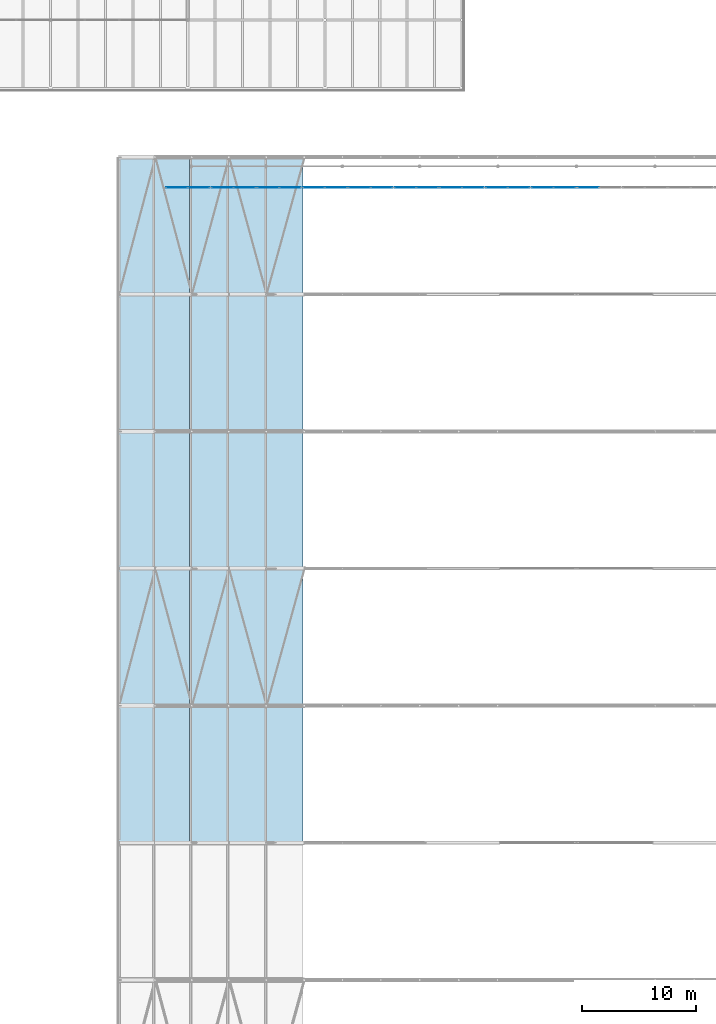
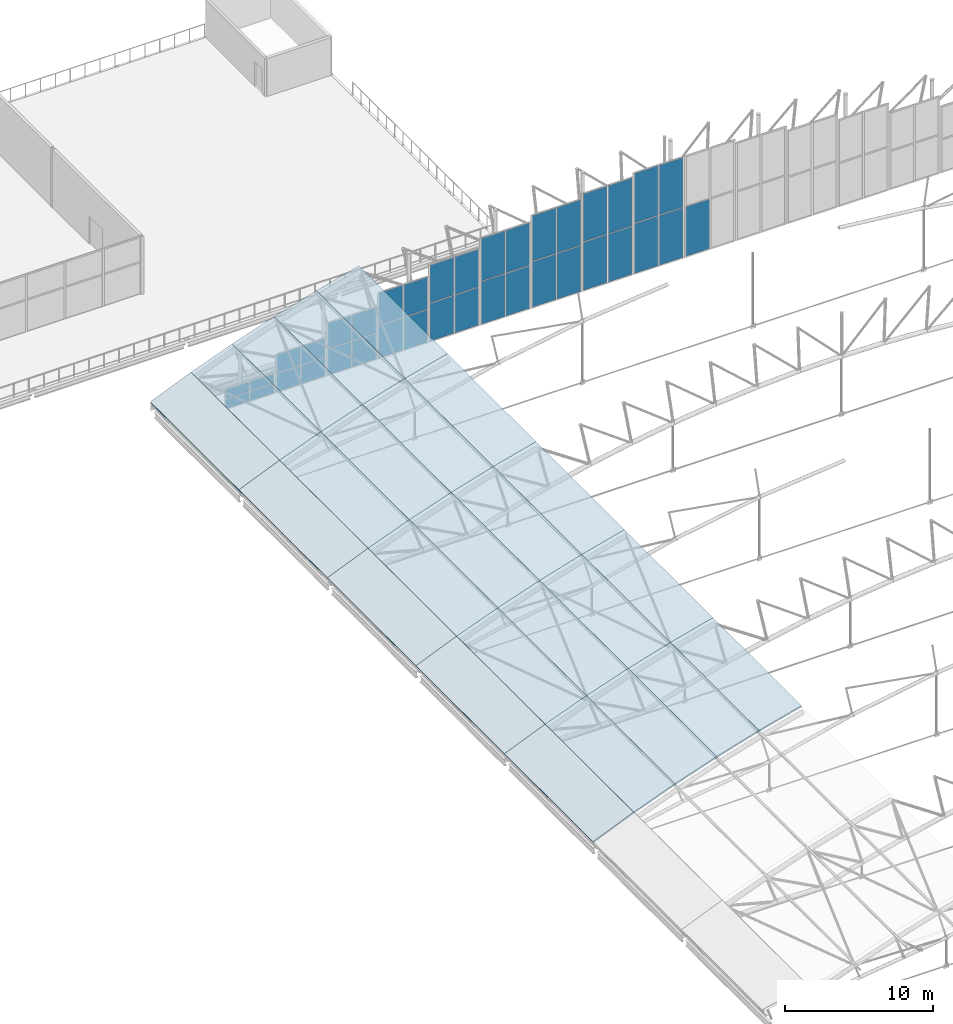
# One storey, part 251 of 321: 37 plates, 25 slabs, 10 elements without a shape of their own.
"""IFC4 building model written with IfcOpenShell, lengths in metres."""

import ifcopenshell
import ifcopenshell.guid

model = None  # the IFC model being written
_history = None  # IfcOwnerHistory: only IFC2X3 demands one
_inside = {}  # id of a spatial element -> (the spatial element, [elements in it])
_under = {}  # id of a project, library or spatial element -> (it, [spatial elements below it])
_declared = {}  # id of a project -> (the project, [libraries it declares])
_typed = {}  # id of a type object -> (the type object, [elements of that type])
_made_of = {}  # id of a material, layer set ... -> (it, [elements and type objects made of it])


def new_model(schema):
    """Start an empty IFC model of exactly this schema.

    Asked for "IFC4X3", IfcOpenShell would pick the latest addendum, in which some entities
    have other attributes; the version numbers below select the first issue.
    IFC2X3 requires an IfcOwnerHistory on every rooted entity: one is made here for all.
    """
    global model, _history
    if schema == "IFC4X3":
        model = ifcopenshell.file(schema_version=(4, 3, 0, 0))
    else:
        model = ifcopenshell.file(schema=schema)
    _inside.clear()
    _under.clear()
    _declared.clear()
    _typed.clear()
    _made_of.clear()
    _history = None
    if model.schema == "IFC2X3":
        org = make("IfcOrganization", Name="unknown")
        user = make(
            "IfcPersonAndOrganization",
            ThePerson=make("IfcPerson", FamilyName="unknown"),
            TheOrganization=org,
        )
        app = make(
            "IfcApplication",
            ApplicationDeveloper=org,
            Version="unknown",
            ApplicationFullName="unknown",
            ApplicationIdentifier="unknown",
        )
        _history = make(
            "IfcOwnerHistory",
            OwningUser=user,
            OwningApplication=app,
            ChangeAction="ADDED",
            CreationDate=0,
        )
    return model


def make(cls, **values):
    """One entity of the class cls with the attributes given. An attribute that is None is left unset."""
    return model.create_entity(
        cls, **{name: value for name, value in values.items() if value is not None}
    )


def rooted(cls, **values):
    """An entity with a GlobalId (a new one), such as an element, a storey or a relation."""
    return make(cls, GlobalId=ifcopenshell.guid.new(), OwnerHistory=_history, **values)


def si_unit(unit_type, name, prefix=None):
    """IfcSIUnit, for example si_unit("LENGTHUNIT", "METRE", prefix="MILLI")."""
    return make("IfcSIUnit", UnitType=unit_type, Prefix=prefix, Name=name)


def assignment(units):
    """IfcUnitAssignment: the units of a project."""
    return None if units is None else make("IfcUnitAssignment", Units=units)


def point(xyz):
    """IfcCartesianPoint."""
    return None if xyz is None else make("IfcCartesianPoint", Coordinates=xyz)


def direction(xyz):
    """IfcDirection."""
    return None if xyz is None else make("IfcDirection", DirectionRatios=xyz)


def frame(location, z_axis=None, x_axis=None):
    """IfcAxis2Placement3D, a coordinate frame: its origin and axes. An axis left out is left unset."""
    return make(
        "IfcAxis2Placement3D",
        Location=point(location),
        Axis=direction(z_axis),
        RefDirection=direction(x_axis),
    )


def frame_2d(location, x_axis=None):
    """IfcAxis2Placement2D, a coordinate frame in the plane: its origin and x axis."""
    return make(
        "IfcAxis2Placement2D", Location=point(location), RefDirection=direction(x_axis)
    )


def origin():
    """The frame at (0, 0, 0) with its axes left unset."""
    return frame((0.0, 0.0, 0.0))


def origin_2d():
    """The frame at (0, 0) in the plane with its x axis left unset."""
    return frame_2d((0.0, 0.0))


def place(relative_to, where):
    """IfcLocalPlacement: puts the frame where relative to a parent placement (None: the world)."""
    return make(
        "IfcLocalPlacement", PlacementRelTo=relative_to, RelativePlacement=where
    )


def context(
    kind, dimensions, precision=None, world=None, true_north=None, identifier=None
):
    """IfcGeometricRepresentationContext, for example the 3D "Model" context."""
    return make(
        "IfcGeometricRepresentationContext",
        ContextIdentifier=identifier,
        ContextType=kind,
        CoordinateSpaceDimension=dimensions,
        Precision=precision,
        WorldCoordinateSystem=world,
        TrueNorth=true_north,
    )


def subcontext(parent, identifier, kind, view, scale=None):
    """IfcGeometricRepresentationSubContext, for example "Body" below "Model"."""
    return make(
        "IfcGeometricRepresentationSubContext",
        ContextIdentifier=identifier,
        ContextType=kind,
        ParentContext=parent,
        TargetScale=scale,
        TargetView=view,
    )


def project(units=None, contexts=None):
    """IfcProject with its units and contexts."""
    return rooted(
        "IfcProject",
        Name="project",
        RepresentationContexts=contexts,
        UnitsInContext=assignment(units),
    )


def spatial(cls, under=None, at=None, **own):
    """A site, building, storey or space (cls), placed at a placement, below another one or the project."""
    s = rooted(cls, ObjectPlacement=at, **own)
    if under is not None:
        _under.setdefault(under.id(), (under, []))[1].append(s)
    return s


def polyline(points):
    """IfcPolyline through the points."""
    return make("IfcPolyline", Points=[point(p) for p in points])


def profile(cls, at=None, kind="AREA", **sizes):
    """A parametric profile (cls). Its sizes go by their IFC names, for example OverallWidth=200.0."""
    return make(cls, ProfileType=kind, Position=at, **sizes)


def rectangle(**sizes):
    """IfcRectangleProfileDef."""
    return profile("IfcRectangleProfileDef", **sizes)


def outline(outer, holes=None, kind="AREA"):
    """IfcArbitraryClosedProfileDef: a profile drawn as a closed curve; with holes, ...WithVoids."""
    if holes is None:
        return make("IfcArbitraryClosedProfileDef", ProfileType=kind, OuterCurve=outer)
    return make(
        "IfcArbitraryProfileDefWithVoids",
        ProfileType=kind,
        OuterCurve=outer,
        InnerCurves=holes,
    )


def extrude(swept, where, along, depth):
    """IfcExtrudedAreaSolid: the profile swept, set in the frame where, extruded along a direction by depth."""
    return make(
        "IfcExtrudedAreaSolid",
        SweptArea=swept,
        Position=where,
        ExtrudedDirection=direction(along),
        Depth=depth,
    )


def shape(context_of_items, identifier, shape_type, items):
    """IfcShapeRepresentation: the items that make up one representation, for example the "Body"."""
    return make(
        "IfcShapeRepresentation",
        ContextOfItems=context_of_items,
        RepresentationIdentifier=identifier,
        RepresentationType=shape_type,
        Items=items,
    )


def material(Name=None, Category=None):
    """IfcMaterial."""
    return make("IfcMaterial", Name=Name, Category=Category)


def layer(
    of_material, thickness, ventilated=None, Name=None, Category=None, Priority=None
):
    """IfcMaterialLayer: one layer of a wall or slab, of a material (None: an air gap)."""
    return make(
        "IfcMaterialLayer",
        Material=of_material,
        LayerThickness=thickness,
        IsVentilated=ventilated,
        Name=Name,
        Category=Category,
        Priority=Priority,
    )


def layer_set(layers, Name=None):
    """IfcMaterialLayerSet."""
    return make("IfcMaterialLayerSet", MaterialLayers=layers, LayerSetName=Name)


def made_of(thing, what):
    """Note that an element or type object is made of a material, layer set ...; save() writes the relation."""
    if what is not None:
        _made_of.setdefault(what.id(), (what, []))[1].append(thing)
    return thing


def type_object(cls, material=None, **own):
    """A type object (cls), such as IfcWallType, which elements share."""
    return made_of(rooted(cls, **own), material)


def element(
    cls,
    number,
    at=None,
    inside=None,
    cuts=None,
    type_object=None,
    material=None,
    context=None,
    identifier="Body",
    shape_type=None,
    held_by="IfcProductDefinitionShape",
    body=None,
    shapes=None,
    **own,
):
    """One element of the class cls, such as IfcWall. Its Tag is "e" and its number.

    at: its placement. inside: the storey or other place that contains it. cuts: it is an
    opening in that element (IfcRelVoidsElement). A single representation is given by context,
    identifier, shape_type and body (its items); several are given by shapes. held_by: the class
    of the entity that holds the representations. save() writes the other relations.
    """
    e = rooted(cls, Tag="e%d" % number, ObjectPlacement=at, **own)
    if body is not None:
        shapes = [shape(context, identifier, shape_type, body)]
    if shapes is not None:
        e.Representation = make(held_by, Representations=shapes)
    if inside is not None:
        _inside.setdefault(inside.id(), (inside, []))[1].append(e)
    if cuts is not None:
        rooted(
            "IfcRelVoidsElement", RelatingBuildingElement=cuts, RelatedOpeningElement=e
        )
    if type_object is not None:
        _typed.setdefault(type_object.id(), (type_object, []))[1].append(e)
    return made_of(e, material)


def aggregate(whole, parts):
    """IfcRelAggregates: a whole, such as a stair, and the parts it consists of."""
    return rooted("IfcRelAggregates", RelatingObject=whole, RelatedObjects=parts)


def save(model, path):
    """Write the relations noted so far, then the file.

    IfcRelAggregates (storeys below a building ...), IfcRelContainedInSpatialStructure (elements
    in a storey), IfcRelDefinesByType, IfcRelAssociatesMaterial and IfcRelDeclares: one each for
    every whole, place, type object, material and project.
    """
    for whole, parts in _under.values():
        aggregate(whole, parts)
    for where, things in _inside.values():
        rooted(
            "IfcRelContainedInSpatialStructure",
            RelatedElements=things,
            RelatingStructure=where,
        )
    for kind, things in _typed.values():
        rooted("IfcRelDefinesByType", RelatedObjects=things, RelatingType=kind)
    for what, things in _made_of.values():
        rooted("IfcRelAssociatesMaterial", RelatedObjects=things, RelatingMaterial=what)
    for by, libraries in _declared.values():
        rooted("IfcRelDeclares", RelatingContext=by, RelatedDefinitions=libraries)
    model.write(path)


model = new_model("IFC4")

# Units and contexts
model_context = context("Model", 3, precision=1e-05, world=origin(), true_north=direction((0.0, 1.0)))
body_context = subcontext(model_context, "Body", "Model", "MODEL_VIEW")
ifc_project = project(units=[si_unit("LENGTHUNIT", "METRE"), si_unit("AREAUNIT", "SQUARE_METRE"), si_unit("VOLUMEUNIT", "CUBIC_METRE"), si_unit("PLANEANGLEUNIT", "RADIAN"), si_unit("MASSUNIT", "GRAM", prefix="KILO")], contexts=[model_context])

# Site, building, storey
site_placement = place(None, origin())
site = spatial("IfcSite", under=ifc_project, at=site_placement, CompositionType="ELEMENT")
building_placement = place(site_placement, origin())
building = spatial("IfcBuilding", under=site, at=building_placement, Name="Ravi Spectrum Wholesale Market", CompositionType="ELEMENT")
storey_placement = place(building_placement, frame((0.0, 0.0, 10.800048828125)))
storey = spatial("IfcBuildingStorey", under=building, at=storey_placement, Name="L02", CompositionType="ELEMENT", Elevation=10.800048828125)

# Curtain wall, plates
ifc_material_1 = material(Name="Aluminium 6063-T6", Category="aluminium")
ifc_layer_1 = layer(ifc_material_1, 0.14990234375)
ifc_layer_set_1 = layer_set([ifc_layer_1], Name="Aluminium 6063-T6")
curtain_wall_type = type_object("IfcCurtainWallType", Name="Curtain wall 150", PredefinedType="NOTDEFINED", material=ifc_layer_set_1)
curtain_wall_1_placement = place(storey_placement, origin())
curtain_wall_1 = element("IfcCurtainWall", 1, at=curtain_wall_1_placement, inside=storey, type_object=curtain_wall_type, Name="H1-CW-L02-001", PredefinedType="NOTDEFINED")
ifc_material_2 = material(Name="Toughened glass", Category="glass")
ifc_layer_2 = layer(ifc_material_2, 0.028076171875)
ifc_layer_set_2 = layer_set([ifc_layer_2], Name="Toughened glass")
plate_type_1 = type_object("IfcPlateType", Name="Glazing panel 28", PredefinedType="CURTAIN_PANEL", material=ifc_layer_set_2)
plate_1_placement = place(storey_placement, frame((35.034912109375, 195.340087890625, 0.06005859375), z_axis=(0.0, 0.0, 1.0), x_axis=(1.0, 0.0, 0.0)))
plate_1 = element("IfcPlate", 2, at=plate_1_placement, type_object=plate_type_1, Name="H1-CW-L02-001 panel 1.1", PredefinedType="CURTAIN_PANEL", context=body_context, shape_type="SweptSolid", body=[
    extrude(rectangle(XDim=1.8701171875, YDim=0.028076171875, at=origin_2d()), origin(), (0.0, 0.0, 1.0), 0.760009765625),
])
plate_2_placement = place(storey_placement, frame((35.034912109375, 195.340087890625, 0.8798828125), z_axis=(0.0, 0.0, 1.0), x_axis=(1.0, 0.0, 0.0)))
plate_2 = element("IfcPlate", 3, at=plate_2_placement, type_object=plate_type_1, Name="H1-CW-L02-001 panel 1.2", PredefinedType="CURTAIN_PANEL", context=body_context, shape_type="SweptSolid", body=[
    extrude(rectangle(XDim=1.8701171875, YDim=0.028076171875, at=origin_2d()), origin(), (0.0, 0.0, 1.0), 0.760009765625),
])
plate_3_placement = place(storey_placement, frame((36.965087890625, 195.340087890625, 0.06005859375), z_axis=(0.0, 0.0, 1.0), x_axis=(1.0, 0.0, 0.0)))
plate_3 = element("IfcPlate", 4, at=plate_3_placement, type_object=plate_type_1, Name="H1-CW-L02-001 panel 2.1", PredefinedType="CURTAIN_PANEL", context=body_context, shape_type="SweptSolid", body=[
    extrude(rectangle(XDim=1.8701171875, YDim=0.028076171875, at=origin_2d()), origin(), (0.0, 0.0, 1.0), 0.760009765625),
])
plate_4_placement = place(storey_placement, frame((36.965087890625, 195.340087890625, 0.8798828125), z_axis=(0.0, 0.0, 1.0), x_axis=(1.0, 0.0, 0.0)))
plate_4 = element("IfcPlate", 5, at=plate_4_placement, type_object=plate_type_1, Name="H1-CW-L02-001 panel 2.2", PredefinedType="CURTAIN_PANEL", context=body_context, shape_type="SweptSolid", body=[
    extrude(rectangle(XDim=1.8701171875, YDim=0.028076171875, at=origin_2d()), origin(), (0.0, 0.0, 1.0), 0.760009765625),
])
aggregate(curtain_wall_1, [plate_1, plate_2, plate_3, plate_4])

curtain_wall_2_placement = place(storey_placement, origin())
curtain_wall_2 = element("IfcCurtainWall", 6, at=curtain_wall_2_placement, inside=storey, type_object=curtain_wall_type, Name="H1-CW-L02-002", PredefinedType="NOTDEFINED")
plate_5_placement = place(storey_placement, frame((39.034912109375, 195.340087890625, 0.06005859375), z_axis=(0.0, 0.0, 1.0), x_axis=(1.0, 0.0, 0.0)))
plate_5 = element("IfcPlate", 7, at=plate_5_placement, type_object=plate_type_1, Name="H1-CW-L02-002 panel 1.1", PredefinedType="CURTAIN_PANEL", context=body_context, shape_type="SweptSolid", body=[
    extrude(rectangle(XDim=1.8701171875, YDim=0.028076171875, at=origin_2d()), origin(), (0.0, 0.0, 1.0), 1.510009765625),
])
plate_6_placement = place(storey_placement, frame((39.034912109375, 195.340087890625, 1.6298828125), z_axis=(0.0, 0.0, 1.0), x_axis=(1.0, 0.0, 0.0)))
plate_6 = element("IfcPlate", 8, at=plate_6_placement, type_object=plate_type_1, Name="H1-CW-L02-002 panel 1.2", PredefinedType="CURTAIN_PANEL", context=body_context, shape_type="SweptSolid", body=[
    extrude(rectangle(XDim=1.8701171875, YDim=0.028076171875, at=origin_2d()), origin(), (0.0, 0.0, 1.0), 1.510009765625),
])
plate_7_placement = place(storey_placement, frame((40.965087890625, 195.340087890625, 0.06005859375), z_axis=(0.0, 0.0, 1.0), x_axis=(1.0, 0.0, 0.0)))
plate_7 = element("IfcPlate", 9, at=plate_7_placement, type_object=plate_type_1, Name="H1-CW-L02-002 panel 2.1", PredefinedType="CURTAIN_PANEL", context=body_context, shape_type="SweptSolid", body=[
    extrude(rectangle(XDim=1.8701171875, YDim=0.028076171875, at=origin_2d()), origin(), (0.0, 0.0, 1.0), 1.510009765625),
])
plate_8_placement = place(storey_placement, frame((40.965087890625, 195.340087890625, 1.6298828125), z_axis=(0.0, 0.0, 1.0), x_axis=(1.0, 0.0, 0.0)))
plate_8 = element("IfcPlate", 10, at=plate_8_placement, type_object=plate_type_1, Name="H1-CW-L02-002 panel 2.2", PredefinedType="CURTAIN_PANEL", context=body_context, shape_type="SweptSolid", body=[
    extrude(rectangle(XDim=1.8701171875, YDim=0.028076171875, at=origin_2d()), origin(), (0.0, 0.0, 1.0), 1.510009765625),
])
aggregate(curtain_wall_2, [plate_5, plate_6, plate_7, plate_8])

curtain_wall_3_placement = place(storey_placement, origin())
curtain_wall_3 = element("IfcCurtainWall", 11, at=curtain_wall_3_placement, inside=storey, type_object=curtain_wall_type, Name="H1-CW-L02-003", PredefinedType="NOTDEFINED")
plate_9_placement = place(storey_placement, frame((43.034912109375, 195.340087890625, 0.06005859375), z_axis=(0.0, 0.0, 1.0), x_axis=(1.0, 0.0, 0.0)))
plate_9 = element("IfcPlate", 12, at=plate_9_placement, type_object=plate_type_1, Name="H1-CW-L02-003 panel 1.1", PredefinedType="CURTAIN_PANEL", context=body_context, shape_type="SweptSolid", body=[
    extrude(rectangle(XDim=1.8701171875, YDim=0.028076171875, at=origin_2d()), origin(), (0.0, 0.0, 1.0), 2.110107421875),
])
plate_10_placement = place(storey_placement, frame((43.034912109375, 195.340087890625, 2.22998046875), z_axis=(0.0, 0.0, 1.0), x_axis=(1.0, 0.0, 0.0)))
plate_10 = element("IfcPlate", 13, at=plate_10_placement, type_object=plate_type_1, Name="H1-CW-L02-003 panel 1.2", PredefinedType="CURTAIN_PANEL", context=body_context, shape_type="SweptSolid", body=[
    extrude(rectangle(XDim=1.8701171875, YDim=0.028076171875, at=origin_2d()), origin(), (0.0, 0.0, 1.0), 2.110107421875),
])
plate_11_placement = place(storey_placement, frame((44.965087890625, 195.340087890625, 0.06005859375), z_axis=(0.0, 0.0, 1.0), x_axis=(1.0, 0.0, 0.0)))
plate_11 = element("IfcPlate", 14, at=plate_11_placement, type_object=plate_type_1, Name="H1-CW-L02-003 panel 2.1", PredefinedType="CURTAIN_PANEL", context=body_context, shape_type="SweptSolid", body=[
    extrude(rectangle(XDim=1.8701171875, YDim=0.028076171875, at=origin_2d()), origin(), (0.0, 0.0, 1.0), 2.110107421875),
])
plate_12_placement = place(storey_placement, frame((44.965087890625, 195.340087890625, 2.22998046875), z_axis=(0.0, 0.0, 1.0), x_axis=(1.0, 0.0, 0.0)))
plate_12 = element("IfcPlate", 15, at=plate_12_placement, type_object=plate_type_1, Name="H1-CW-L02-003 panel 2.2", PredefinedType="CURTAIN_PANEL", context=body_context, shape_type="SweptSolid", body=[
    extrude(rectangle(XDim=1.8701171875, YDim=0.028076171875, at=origin_2d()), origin(), (0.0, 0.0, 1.0), 2.110107421875),
])
aggregate(curtain_wall_3, [plate_9, plate_10, plate_11, plate_12])

curtain_wall_4_placement = place(storey_placement, origin())
curtain_wall_4 = element("IfcCurtainWall", 16, at=curtain_wall_4_placement, inside=storey, type_object=curtain_wall_type, Name="H1-CW-L02-004", PredefinedType="NOTDEFINED")
plate_13_placement = place(storey_placement, frame((47.034912109375, 195.340087890625, 0.06005859375), z_axis=(0.0, 0.0, 1.0), x_axis=(1.0, 0.0, 0.0)))
plate_13 = element("IfcPlate", 17, at=plate_13_placement, type_object=plate_type_1, Name="H1-CW-L02-004 panel 1.1", PredefinedType="CURTAIN_PANEL", context=body_context, shape_type="SweptSolid", body=[
    extrude(rectangle(XDim=1.8701171875, YDim=0.028076171875, at=origin_2d()), origin(), (0.0, 0.0, 1.0), 2.659912109375),
])
plate_14_placement = place(storey_placement, frame((47.034912109375, 195.340087890625, 2.77978515625), z_axis=(0.0, 0.0, 1.0), x_axis=(1.0, 0.0, 0.0)))
plate_14 = element("IfcPlate", 18, at=plate_14_placement, type_object=plate_type_1, Name="H1-CW-L02-004 panel 1.2", PredefinedType="CURTAIN_PANEL", context=body_context, shape_type="SweptSolid", body=[
    extrude(rectangle(XDim=1.8701171875, YDim=0.028076171875, at=origin_2d()), origin(), (0.0, 0.0, 1.0), 2.659912109375),
])
plate_15_placement = place(storey_placement, frame((48.965087890625, 195.340087890625, 0.06005859375), z_axis=(0.0, 0.0, 1.0), x_axis=(1.0, 0.0, 0.0)))
plate_15 = element("IfcPlate", 19, at=plate_15_placement, type_object=plate_type_1, Name="H1-CW-L02-004 panel 2.1", PredefinedType="CURTAIN_PANEL", context=body_context, shape_type="SweptSolid", body=[
    extrude(rectangle(XDim=1.8701171875, YDim=0.028076171875, at=origin_2d()), origin(), (0.0, 0.0, 1.0), 2.659912109375),
])
plate_16_placement = place(storey_placement, frame((48.965087890625, 195.340087890625, 2.77978515625), z_axis=(0.0, 0.0, 1.0), x_axis=(1.0, 0.0, 0.0)))
plate_16 = element("IfcPlate", 20, at=plate_16_placement, type_object=plate_type_1, Name="H1-CW-L02-004 panel 2.2", PredefinedType="CURTAIN_PANEL", context=body_context, shape_type="SweptSolid", body=[
    extrude(rectangle(XDim=1.8701171875, YDim=0.028076171875, at=origin_2d()), origin(), (0.0, 0.0, 1.0), 2.659912109375),
])
aggregate(curtain_wall_4, [plate_13, plate_14, plate_15, plate_16])

curtain_wall_5_placement = place(storey_placement, origin())
curtain_wall_5 = element("IfcCurtainWall", 21, at=curtain_wall_5_placement, inside=storey, type_object=curtain_wall_type, Name="H1-CW-L02-005", PredefinedType="NOTDEFINED")
plate_17_placement = place(storey_placement, frame((51.034912109375, 195.340087890625, 0.06005859375), z_axis=(0.0, 0.0, 1.0), x_axis=(1.0, 0.0, 0.0)))
plate_17 = element("IfcPlate", 22, at=plate_17_placement, type_object=plate_type_1, Name="H1-CW-L02-005 panel 1.1", PredefinedType="CURTAIN_PANEL", context=body_context, shape_type="SweptSolid", body=[
    extrude(rectangle(XDim=1.8701171875, YDim=0.028076171875, at=origin_2d()), origin(), (0.0, 0.0, 1.0), 3.110107421875),
])
plate_18_placement = place(storey_placement, frame((51.034912109375, 195.340087890625, 3.22998046875), z_axis=(0.0, 0.0, 1.0), x_axis=(1.0, 0.0, 0.0)))
plate_18 = element("IfcPlate", 23, at=plate_18_placement, type_object=plate_type_1, Name="H1-CW-L02-005 panel 1.2", PredefinedType="CURTAIN_PANEL", context=body_context, shape_type="SweptSolid", body=[
    extrude(rectangle(XDim=1.8701171875, YDim=0.028076171875, at=origin_2d()), origin(), (0.0, 0.0, 1.0), 3.110107421875),
])
plate_19_placement = place(storey_placement, frame((52.965087890625, 195.340087890625, 0.06005859375), z_axis=(0.0, 0.0, 1.0), x_axis=(1.0, 0.0, 0.0)))
plate_19 = element("IfcPlate", 24, at=plate_19_placement, type_object=plate_type_1, Name="H1-CW-L02-005 panel 2.1", PredefinedType="CURTAIN_PANEL", context=body_context, shape_type="SweptSolid", body=[
    extrude(rectangle(XDim=1.8701171875, YDim=0.028076171875, at=origin_2d()), origin(), (0.0, 0.0, 1.0), 3.110107421875),
])
plate_20_placement = place(storey_placement, frame((52.965087890625, 195.340087890625, 3.22998046875), z_axis=(0.0, 0.0, 1.0), x_axis=(1.0, 0.0, 0.0)))
plate_20 = element("IfcPlate", 25, at=plate_20_placement, type_object=plate_type_1, Name="H1-CW-L02-005 panel 2.2", PredefinedType="CURTAIN_PANEL", context=body_context, shape_type="SweptSolid", body=[
    extrude(rectangle(XDim=1.8701171875, YDim=0.028076171875, at=origin_2d()), origin(), (0.0, 0.0, 1.0), 3.110107421875),
])
aggregate(curtain_wall_5, [plate_17, plate_18, plate_19, plate_20])

curtain_wall_6_placement = place(storey_placement, origin())
curtain_wall_6 = element("IfcCurtainWall", 26, at=curtain_wall_6_placement, inside=storey, type_object=curtain_wall_type, Name="H1-CW-L02-006", PredefinedType="NOTDEFINED")
plate_21_placement = place(storey_placement, frame((55.034912109375, 195.340087890625, 0.06005859375), z_axis=(0.0, 0.0, 1.0), x_axis=(1.0, 0.0, 0.0)))
plate_21 = element("IfcPlate", 27, at=plate_21_placement, type_object=plate_type_1, Name="H1-CW-L02-006 panel 1.1", PredefinedType="CURTAIN_PANEL", context=body_context, shape_type="SweptSolid", body=[
    extrude(rectangle(XDim=1.8701171875, YDim=0.028076171875, at=origin_2d()), origin(), (0.0, 0.0, 1.0), 3.510009765625),
])
plate_22_placement = place(storey_placement, frame((55.034912109375, 195.340087890625, 3.6298828125), z_axis=(0.0, 0.0, 1.0), x_axis=(1.0, 0.0, 0.0)))
plate_22 = element("IfcPlate", 28, at=plate_22_placement, type_object=plate_type_1, Name="H1-CW-L02-006 panel 1.2", PredefinedType="CURTAIN_PANEL", context=body_context, shape_type="SweptSolid", body=[
    extrude(rectangle(XDim=1.8701171875, YDim=0.028076171875, at=origin_2d()), origin(), (0.0, 0.0, 1.0), 3.510009765625),
])
plate_23_placement = place(storey_placement, frame((56.965087890625, 195.340087890625, 0.06005859375), z_axis=(0.0, 0.0, 1.0), x_axis=(1.0, 0.0, 0.0)))
plate_23 = element("IfcPlate", 29, at=plate_23_placement, type_object=plate_type_1, Name="H1-CW-L02-006 panel 2.1", PredefinedType="CURTAIN_PANEL", context=body_context, shape_type="SweptSolid", body=[
    extrude(rectangle(XDim=1.8701171875, YDim=0.028076171875, at=origin_2d()), origin(), (0.0, 0.0, 1.0), 3.510009765625),
])
plate_24_placement = place(storey_placement, frame((56.965087890625, 195.340087890625, 3.6298828125), z_axis=(0.0, 0.0, 1.0), x_axis=(1.0, 0.0, 0.0)))
plate_24 = element("IfcPlate", 30, at=plate_24_placement, type_object=plate_type_1, Name="H1-CW-L02-006 panel 2.2", PredefinedType="CURTAIN_PANEL", context=body_context, shape_type="SweptSolid", body=[
    extrude(rectangle(XDim=1.8701171875, YDim=0.028076171875, at=origin_2d()), origin(), (0.0, 0.0, 1.0), 3.510009765625),
])
aggregate(curtain_wall_6, [plate_21, plate_22, plate_23, plate_24])

curtain_wall_7_placement = place(storey_placement, origin())
curtain_wall_7 = element("IfcCurtainWall", 31, at=curtain_wall_7_placement, inside=storey, type_object=curtain_wall_type, Name="H1-CW-L02-007", PredefinedType="NOTDEFINED")
plate_25_placement = place(storey_placement, frame((59.034912109375, 195.340087890625, 0.06005859375), z_axis=(0.0, 0.0, 1.0), x_axis=(1.0, 0.0, 0.0)))
plate_25 = element("IfcPlate", 32, at=plate_25_placement, type_object=plate_type_1, Name="H1-CW-L02-007 panel 1.1", PredefinedType="CURTAIN_PANEL", context=body_context, shape_type="SweptSolid", body=[
    extrude(rectangle(XDim=1.8701171875, YDim=0.028076171875, at=origin_2d()), origin(), (0.0, 0.0, 1.0), 3.760009765625),
])
plate_26_placement = place(storey_placement, frame((59.034912109375, 195.340087890625, 3.8798828125), z_axis=(0.0, 0.0, 1.0), x_axis=(1.0, 0.0, 0.0)))
plate_26 = element("IfcPlate", 33, at=plate_26_placement, type_object=plate_type_1, Name="H1-CW-L02-007 panel 1.2", PredefinedType="CURTAIN_PANEL", context=body_context, shape_type="SweptSolid", body=[
    extrude(rectangle(XDim=1.8701171875, YDim=0.028076171875, at=origin_2d()), origin(), (0.0, 0.0, 1.0), 3.760009765625),
])
plate_27_placement = place(storey_placement, frame((60.965087890625, 195.340087890625, 0.06005859375), z_axis=(0.0, 0.0, 1.0), x_axis=(1.0, 0.0, 0.0)))
plate_27 = element("IfcPlate", 34, at=plate_27_placement, type_object=plate_type_1, Name="H1-CW-L02-007 panel 2.1", PredefinedType="CURTAIN_PANEL", context=body_context, shape_type="SweptSolid", body=[
    extrude(rectangle(XDim=1.8701171875, YDim=0.028076171875, at=origin_2d()), origin(), (0.0, 0.0, 1.0), 3.760009765625),
])
plate_28_placement = place(storey_placement, frame((60.965087890625, 195.340087890625, 3.8798828125), z_axis=(0.0, 0.0, 1.0), x_axis=(1.0, 0.0, 0.0)))
plate_28 = element("IfcPlate", 35, at=plate_28_placement, type_object=plate_type_1, Name="H1-CW-L02-007 panel 2.2", PredefinedType="CURTAIN_PANEL", context=body_context, shape_type="SweptSolid", body=[
    extrude(rectangle(XDim=1.8701171875, YDim=0.028076171875, at=origin_2d()), origin(), (0.0, 0.0, 1.0), 3.760009765625),
])
aggregate(curtain_wall_7, [plate_25, plate_26, plate_27, plate_28])

curtain_wall_8_placement = place(storey_placement, origin())
curtain_wall_8 = element("IfcCurtainWall", 36, at=curtain_wall_8_placement, inside=storey, type_object=curtain_wall_type, Name="H1-CW-L02-008", PredefinedType="NOTDEFINED")
plate_29_placement = place(storey_placement, frame((63.034912109375, 195.340087890625, 0.06005859375), z_axis=(0.0, 0.0, 1.0), x_axis=(1.0, 0.0, 0.0)))
plate_29 = element("IfcPlate", 37, at=plate_29_placement, type_object=plate_type_1, Name="H1-CW-L02-008 panel 1.1", PredefinedType="CURTAIN_PANEL", context=body_context, shape_type="SweptSolid", body=[
    extrude(rectangle(XDim=1.8701171875, YDim=0.028076171875, at=origin_2d()), origin(), (0.0, 0.0, 1.0), 3.9599609375),
])
plate_30_placement = place(storey_placement, frame((63.034912109375, 195.340087890625, 4.080078125), z_axis=(0.0, 0.0, 1.0), x_axis=(1.0, 0.0, 0.0)))
plate_30 = element("IfcPlate", 38, at=plate_30_placement, type_object=plate_type_1, Name="H1-CW-L02-008 panel 1.2", PredefinedType="CURTAIN_PANEL", context=body_context, shape_type="SweptSolid", body=[
    extrude(rectangle(XDim=1.8701171875, YDim=0.028076171875, at=origin_2d()), origin(), (0.0, 0.0, 1.0), 3.9599609375),
])
plate_31_placement = place(storey_placement, frame((64.965087890625, 195.340087890625, 0.06005859375), z_axis=(0.0, 0.0, 1.0), x_axis=(1.0, 0.0, 0.0)))
plate_31 = element("IfcPlate", 39, at=plate_31_placement, type_object=plate_type_1, Name="H1-CW-L02-008 panel 2.1", PredefinedType="CURTAIN_PANEL", context=body_context, shape_type="SweptSolid", body=[
    extrude(rectangle(XDim=1.8701171875, YDim=0.028076171875, at=origin_2d()), origin(), (0.0, 0.0, 1.0), 3.9599609375),
])
plate_32_placement = place(storey_placement, frame((64.965087890625, 195.340087890625, 4.080078125), z_axis=(0.0, 0.0, 1.0), x_axis=(1.0, 0.0, 0.0)))
plate_32 = element("IfcPlate", 40, at=plate_32_placement, type_object=plate_type_1, Name="H1-CW-L02-008 panel 2.2", PredefinedType="CURTAIN_PANEL", context=body_context, shape_type="SweptSolid", body=[
    extrude(rectangle(XDim=1.8701171875, YDim=0.028076171875, at=origin_2d()), origin(), (0.0, 0.0, 1.0), 3.9599609375),
])
aggregate(curtain_wall_8, [plate_29, plate_30, plate_31, plate_32])

curtain_wall_9_placement = place(storey_placement, origin())
curtain_wall_9 = element("IfcCurtainWall", 41, at=curtain_wall_9_placement, inside=storey, type_object=curtain_wall_type, Name="H1-CW-L02-009", PredefinedType="NOTDEFINED")
plate_33_placement = place(storey_placement, frame((67.034912109375, 195.340087890625, 0.06005859375), z_axis=(0.0, 0.0, 1.0), x_axis=(1.0, 0.0, 0.0)))
plate_33 = element("IfcPlate", 42, at=plate_33_placement, type_object=plate_type_1, Name="H1-CW-L02-009 panel 1.1", PredefinedType="CURTAIN_PANEL", context=body_context, shape_type="SweptSolid", body=[
    extrude(rectangle(XDim=1.8701171875, YDim=0.028076171875, at=origin_2d()), origin(), (0.0, 0.0, 1.0), 4.110107421875),
])
plate_34_placement = place(storey_placement, frame((68.965087890625, 195.340087890625, 0.06005859375), z_axis=(0.0, 0.0, 1.0), x_axis=(1.0, 0.0, 0.0)))
plate_34 = element("IfcPlate", 43, at=plate_34_placement, type_object=plate_type_1, Name="H1-CW-L02-009 panel 2.1", PredefinedType="CURTAIN_PANEL", context=body_context, shape_type="SweptSolid", body=[
    extrude(rectangle(XDim=1.8701171875, YDim=0.028076171875, at=origin_2d()), origin(), (0.0, 0.0, 1.0), 4.110107421875),
])
plate_35_placement = place(storey_placement, frame((68.965087890625, 195.340087890625, 4.22998046875), z_axis=(0.0, 0.0, 1.0), x_axis=(1.0, 0.0, 0.0)))
plate_35 = element("IfcPlate", 44, at=plate_35_placement, type_object=plate_type_1, Name="H1-CW-L02-009 panel 2.2", PredefinedType="CURTAIN_PANEL", context=body_context, shape_type="SweptSolid", body=[
    extrude(rectangle(XDim=1.8701171875, YDim=0.028076171875, at=origin_2d()), origin(), (0.0, 0.0, 1.0), 4.110107421875),
])

# Curtain wall, plate
curtain_wall_10_placement = place(storey_placement, origin())
curtain_wall_10 = element("IfcCurtainWall", 45, at=curtain_wall_10_placement, inside=storey, type_object=curtain_wall_type, Name="H1-CW-L02-010", PredefinedType="NOTDEFINED")
plate_36_placement = place(storey_placement, frame((71.034912109375, 195.340087890625, 0.06005859375), z_axis=(0.0, 0.0, 1.0), x_axis=(1.0, 0.0, 0.0)))
plate_36 = element("IfcPlate", 46, at=plate_36_placement, type_object=plate_type_1, Name="H1-CW-L02-010 panel 1.1", PredefinedType="CURTAIN_PANEL", context=body_context, shape_type="SweptSolid", body=[
    extrude(rectangle(XDim=1.8701171875, YDim=0.028076171875, at=origin_2d()), origin(), (0.0, 0.0, 1.0), 4.110107421875),
])
aggregate(curtain_wall_10, [plate_36])

# Plate
ifc_material_3 = material(Name="Insulated panel")
ifc_layer_3 = layer(ifc_material_3, 0.028076171875)
ifc_layer_set_3 = layer_set([ifc_layer_3], Name="Insulated panel")
plate_type_2 = type_object("IfcPlateType", Name="Opaque insulated panel 28", PredefinedType="CURTAIN_PANEL", material=ifc_layer_set_3)
plate_37_placement = place(storey_placement, frame((67.034912109375, 195.340087890625, 4.22998046875), z_axis=(0.0, 0.0, 1.0), x_axis=(1.0, 0.0, 0.0)))
plate_37 = element("IfcPlate", 47, at=plate_37_placement, type_object=plate_type_2, Name="H1-CW-L02-009 panel 1.2", PredefinedType="CURTAIN_PANEL", context=body_context, shape_type="SweptSolid", body=[
    extrude(rectangle(XDim=1.8701171875, YDim=0.028076171875, at=origin_2d()), origin(), (0.0, 0.0, 1.0), 4.110107421875),
])

aggregate(curtain_wall_9, [plate_33, plate_37, plate_34, plate_35])

# Slabs
ifc_material_4 = material(Name="Steel S355", Category="steel")
ifc_layer_4 = layer(ifc_material_4, 0.1201171875)
ifc_layer_set_4 = layer_set([ifc_layer_4], Name="Steel S355")
slab_type = type_object("IfcSlabType", Name="Roof panel 120", PredefinedType="ROOF", material=ifc_layer_set_4)
slab_1_placement = place(storey_placement, frame((29.76318359375, 138.0, 0.5439453125), z_axis=(-0.386400188162, 0.0, 0.922331228241), x_axis=(0.922331228241, 0.0, 0.386400188162)))
element("IfcSlab", 48, at=slab_1_placement, inside=storey, type_object=slab_type, Name="H1-SL-L02-091", PredefinedType="ROOF", context=body_context, shape_type="SweptSolid", body=[
    extrude(outline(polyline([(0.0, 0.0), (3.44665233138391, 0.0), (3.44665233138391, 12.0), (0.0, 12.0), (0.0, 0.0)])), origin(), (0.0, 0.0, -1.0), 0.1201171875),
])
slab_2_placement = place(storey_placement, frame((32.946044921875, 138.0, 1.877197265625), z_axis=(-0.354389433988, 0.0, 0.93509792486), x_axis=(0.93509792486, 0.0, 0.354389433988)))
element("IfcSlab", 49, at=slab_2_placement, inside=storey, type_object=slab_type, Name="H1-SL-L02-092", PredefinedType="ROOF", context=body_context, shape_type="SweptSolid", body=[
    extrude(outline(polyline([(0.0, 0.0), (3.4465913194140976, 0.0), (3.4465913194140976, 12.0), (0.0, 12.0), (0.0, 0.0)])), origin(), (0.0, 0.0, -1.0), 0.1201171875),
])
slab_3_placement = place(storey_placement, frame((36.1728515625, 138.0, 3.099853515625), z_axis=(-0.321938289451, 0.0, 0.946760654963), x_axis=(0.946760654963, 0.0, 0.321938289451)))
element("IfcSlab", 50, at=slab_3_placement, inside=storey, type_object=slab_type, Name="H1-SL-L02-093", PredefinedType="ROOF", context=body_context, shape_type="SweptSolid", body=[
    extrude(outline(polyline([(0.0, 0.0), (3.4466827245571254, 0.0), (3.4466827245571254, 12.0), (0.0, 12.0), (0.0, 0.0)])), origin(), (0.0, 0.0, -1.0), 0.1201171875),
])
slab_4_placement = place(storey_placement, frame((39.43994140625, 138.0, 4.210693359375), z_axis=(-0.289069508048, 0.0, 0.957308111068), x_axis=(0.957308111068, 0.0, 0.289069508048)))
element("IfcSlab", 51, at=slab_4_placement, inside=storey, type_object=slab_type, Name="H1-SL-L02-094", PredefinedType="ROOF", context=body_context, shape_type="SweptSolid", body=[
    extrude(outline(polyline([(0.0, 0.0), (3.4467069783764797, 0.0), (3.4467069783764797, 12.0), (0.0, 12.0), (0.0, 0.0)])), origin(), (0.0, 0.0, -1.0), 0.1201171875),
])
slab_5_placement = place(storey_placement, frame((42.74365234375, 138.0, 5.2080078125), z_axis=(-0.255929552766, 0.0, 0.966695434985), x_axis=(0.966695434985, 0.0, 0.255929552766)))
element("IfcSlab", 52, at=slab_5_placement, inside=storey, type_object=slab_type, Name="H1-SL-L02-095", PredefinedType="ROOF", context=body_context, shape_type="SweptSolid", body=[
    extrude(outline(polyline([(0.0, 0.0), (3.4465737488732815, 0.0), (3.4465737488732815, 12.0), (0.0, 12.0), (0.0, 0.0)])), origin(), (0.0, 0.0, -1.0), 0.1201171875),
])
slab_6_placement = place(storey_placement, frame((29.76318359375, 150.0, 0.5439453125), z_axis=(-0.386400188162, 0.0, 0.922331228241), x_axis=(0.922331228241, 0.0, 0.386400188162)))
element("IfcSlab", 53, at=slab_6_placement, inside=storey, type_object=slab_type, Name="H1-SL-L02-101", PredefinedType="ROOF", context=body_context, shape_type="SweptSolid", body=[
    extrude(outline(polyline([(0.0, 0.0), (3.44665233138391, 0.0), (3.44665233138391, 12.0), (0.0, 12.0), (0.0, 0.0)])), origin(), (0.0, 0.0, -1.0), 0.1201171875),
])
slab_7_placement = place(storey_placement, frame((32.946044921875, 150.0, 1.877197265625), z_axis=(-0.354389433988, 0.0, 0.93509792486), x_axis=(0.93509792486, 0.0, 0.354389433988)))
element("IfcSlab", 54, at=slab_7_placement, inside=storey, type_object=slab_type, Name="H1-SL-L02-102", PredefinedType="ROOF", context=body_context, shape_type="SweptSolid", body=[
    extrude(outline(polyline([(0.0, 0.0), (3.4465913194140976, 0.0), (3.4465913194140976, 12.0), (0.0, 12.0), (0.0, 0.0)])), origin(), (0.0, 0.0, -1.0), 0.1201171875),
])
slab_8_placement = place(storey_placement, frame((36.1728515625, 150.0, 3.099853515625), z_axis=(-0.321938289451, 0.0, 0.946760654963), x_axis=(0.946760654963, 0.0, 0.321938289451)))
element("IfcSlab", 55, at=slab_8_placement, inside=storey, type_object=slab_type, Name="H1-SL-L02-103", PredefinedType="ROOF", context=body_context, shape_type="SweptSolid", body=[
    extrude(outline(polyline([(0.0, 0.0), (3.4466827245571254, 0.0), (3.4466827245571254, 12.0), (0.0, 12.0), (0.0, 0.0)])), origin(), (0.0, 0.0, -1.0), 0.1201171875),
])
slab_9_placement = place(storey_placement, frame((39.43994140625, 150.0, 4.210693359375), z_axis=(-0.289069508048, 0.0, 0.957308111068), x_axis=(0.957308111068, 0.0, 0.289069508048)))
element("IfcSlab", 56, at=slab_9_placement, inside=storey, type_object=slab_type, Name="H1-SL-L02-104", PredefinedType="ROOF", context=body_context, shape_type="SweptSolid", body=[
    extrude(outline(polyline([(0.0, 0.0), (3.4467069783764797, 0.0), (3.4467069783764797, 12.0), (0.0, 12.0), (0.0, 0.0)])), origin(), (0.0, 0.0, -1.0), 0.1201171875),
])
slab_10_placement = place(storey_placement, frame((42.74365234375, 150.0, 5.2080078125), z_axis=(-0.255929552766, 0.0, 0.966695434985), x_axis=(0.966695434985, 0.0, 0.255929552766)))
element("IfcSlab", 57, at=slab_10_placement, inside=storey, type_object=slab_type, Name="H1-SL-L02-105", PredefinedType="ROOF", context=body_context, shape_type="SweptSolid", body=[
    extrude(outline(polyline([(0.0, 0.0), (3.4465737488732815, 0.0), (3.4465737488732815, 12.0), (0.0, 12.0), (0.0, 0.0)])), origin(), (0.0, 0.0, -1.0), 0.1201171875),
])
slab_11_placement = place(storey_placement, frame((29.76318359375, 162.0, 0.5439453125), z_axis=(-0.386400188162, 0.0, 0.922331228241), x_axis=(0.922331228241, 0.0, 0.386400188162)))
element("IfcSlab", 58, at=slab_11_placement, inside=storey, type_object=slab_type, Name="H1-SL-L02-111", PredefinedType="ROOF", context=body_context, shape_type="SweptSolid", body=[
    extrude(outline(polyline([(0.0, 0.0), (3.44665233138391, 0.0), (3.44665233138391, 12.0), (0.0, 12.0), (0.0, 0.0)])), origin(), (0.0, 0.0, -1.0), 0.1201171875),
])
slab_12_placement = place(storey_placement, frame((32.946044921875, 162.0, 1.877197265625), z_axis=(-0.354389433988, 0.0, 0.93509792486), x_axis=(0.93509792486, 0.0, 0.354389433988)))
element("IfcSlab", 59, at=slab_12_placement, inside=storey, type_object=slab_type, Name="H1-SL-L02-112", PredefinedType="ROOF", context=body_context, shape_type="SweptSolid", body=[
    extrude(outline(polyline([(0.0, 0.0), (3.4465913194140976, 0.0), (3.4465913194140976, 12.0), (0.0, 12.0), (0.0, 0.0)])), origin(), (0.0, 0.0, -1.0), 0.1201171875),
])
slab_13_placement = place(storey_placement, frame((36.1728515625, 162.0, 3.099853515625), z_axis=(-0.321938289451, 0.0, 0.946760654963), x_axis=(0.946760654963, 0.0, 0.321938289451)))
element("IfcSlab", 60, at=slab_13_placement, inside=storey, type_object=slab_type, Name="H1-SL-L02-113", PredefinedType="ROOF", context=body_context, shape_type="SweptSolid", body=[
    extrude(outline(polyline([(0.0, 0.0), (3.4466827245571254, 0.0), (3.4466827245571254, 12.0), (0.0, 12.0), (0.0, 0.0)])), origin(), (0.0, 0.0, -1.0), 0.1201171875),
])
slab_14_placement = place(storey_placement, frame((39.43994140625, 162.0, 4.210693359375), z_axis=(-0.289069508048, 0.0, 0.957308111068), x_axis=(0.957308111068, 0.0, 0.289069508048)))
element("IfcSlab", 61, at=slab_14_placement, inside=storey, type_object=slab_type, Name="H1-SL-L02-114", PredefinedType="ROOF", context=body_context, shape_type="SweptSolid", body=[
    extrude(outline(polyline([(0.0, 0.0), (3.4467069783764797, 0.0), (3.4467069783764797, 12.0), (0.0, 12.0), (0.0, 0.0)])), origin(), (0.0, 0.0, -1.0), 0.1201171875),
])
slab_15_placement = place(storey_placement, frame((42.74365234375, 162.0, 5.2080078125), z_axis=(-0.255929552766, 0.0, 0.966695434985), x_axis=(0.966695434985, 0.0, 0.255929552766)))
element("IfcSlab", 62, at=slab_15_placement, inside=storey, type_object=slab_type, Name="H1-SL-L02-115", PredefinedType="ROOF", context=body_context, shape_type="SweptSolid", body=[
    extrude(outline(polyline([(0.0, 0.0), (3.4465737488732815, 0.0), (3.4465737488732815, 12.0), (0.0, 12.0), (0.0, 0.0)])), origin(), (0.0, 0.0, -1.0), 0.1201171875),
])
slab_16_placement = place(storey_placement, frame((29.76318359375, 174.0, 0.5439453125), z_axis=(-0.386400188162, 0.0, 0.922331228241), x_axis=(0.922331228241, 0.0, 0.386400188162)))
element("IfcSlab", 63, at=slab_16_placement, inside=storey, type_object=slab_type, Name="H1-SL-L02-121", PredefinedType="ROOF", context=body_context, shape_type="SweptSolid", body=[
    extrude(outline(polyline([(0.0, 0.0), (3.44665233138391, 0.0), (3.44665233138391, 12.0), (0.0, 12.0), (0.0, 0.0)])), origin(), (0.0, 0.0, -1.0), 0.1201171875),
])
slab_17_placement = place(storey_placement, frame((32.946044921875, 174.0, 1.877197265625), z_axis=(-0.354389433988, 0.0, 0.93509792486), x_axis=(0.93509792486, 0.0, 0.354389433988)))
element("IfcSlab", 64, at=slab_17_placement, inside=storey, type_object=slab_type, Name="H1-SL-L02-122", PredefinedType="ROOF", context=body_context, shape_type="SweptSolid", body=[
    extrude(outline(polyline([(0.0, 0.0), (3.4465913194140976, 0.0), (3.4465913194140976, 12.0), (0.0, 12.0), (0.0, 0.0)])), origin(), (0.0, 0.0, -1.0), 0.1201171875),
])
slab_18_placement = place(storey_placement, frame((36.1728515625, 174.0, 3.099853515625), z_axis=(-0.321938289451, 0.0, 0.946760654963), x_axis=(0.946760654963, 0.0, 0.321938289451)))
element("IfcSlab", 65, at=slab_18_placement, inside=storey, type_object=slab_type, Name="H1-SL-L02-123", PredefinedType="ROOF", context=body_context, shape_type="SweptSolid", body=[
    extrude(outline(polyline([(0.0, 0.0), (3.4466827245571254, 0.0), (3.4466827245571254, 12.0), (0.0, 12.0), (0.0, 0.0)])), origin(), (0.0, 0.0, -1.0), 0.1201171875),
])
slab_19_placement = place(storey_placement, frame((39.43994140625, 174.0, 4.210693359375), z_axis=(-0.289069508048, 0.0, 0.957308111068), x_axis=(0.957308111068, 0.0, 0.289069508048)))
element("IfcSlab", 66, at=slab_19_placement, inside=storey, type_object=slab_type, Name="H1-SL-L02-124", PredefinedType="ROOF", context=body_context, shape_type="SweptSolid", body=[
    extrude(outline(polyline([(0.0, 0.0), (3.4467069783764797, 0.0), (3.4467069783764797, 12.0), (0.0, 12.0), (0.0, 0.0)])), origin(), (0.0, 0.0, -1.0), 0.1201171875),
])
slab_20_placement = place(storey_placement, frame((42.74365234375, 174.0, 5.2080078125), z_axis=(-0.255929552766, 0.0, 0.966695434985), x_axis=(0.966695434985, 0.0, 0.255929552766)))
element("IfcSlab", 67, at=slab_20_placement, inside=storey, type_object=slab_type, Name="H1-SL-L02-125", PredefinedType="ROOF", context=body_context, shape_type="SweptSolid", body=[
    extrude(outline(polyline([(0.0, 0.0), (3.4465737488732815, 0.0), (3.4465737488732815, 12.0), (0.0, 12.0), (0.0, 0.0)])), origin(), (0.0, 0.0, -1.0), 0.1201171875),
])
slab_21_placement = place(storey_placement, frame((29.76318359375, 186.0, 0.5439453125), z_axis=(-0.386400188162, 0.0, 0.922331228241), x_axis=(0.922331228241, 0.0, 0.386400188162)))
element("IfcSlab", 68, at=slab_21_placement, inside=storey, type_object=slab_type, Name="H1-SL-L02-131", PredefinedType="ROOF", context=body_context, shape_type="SweptSolid", body=[
    extrude(outline(polyline([(0.0, 0.0), (3.44665233138391, 0.0), (3.44665233138391, 12.0), (0.0, 12.0), (0.0, 0.0)])), origin(), (0.0, 0.0, -1.0), 0.1201171875),
])
slab_22_placement = place(storey_placement, frame((32.946044921875, 186.0, 1.877197265625), z_axis=(-0.354389433988, 0.0, 0.93509792486), x_axis=(0.93509792486, 0.0, 0.354389433988)))
element("IfcSlab", 69, at=slab_22_placement, inside=storey, type_object=slab_type, Name="H1-SL-L02-132", PredefinedType="ROOF", context=body_context, shape_type="SweptSolid", body=[
    extrude(outline(polyline([(0.0, 0.0), (3.4465913194140976, 0.0), (3.4465913194140976, 12.0), (0.0, 12.0), (0.0, 0.0)])), origin(), (0.0, 0.0, -1.0), 0.1201171875),
])
slab_23_placement = place(storey_placement, frame((36.1728515625, 186.0, 3.099853515625), z_axis=(-0.321938289451, 0.0, 0.946760654963), x_axis=(0.946760654963, 0.0, 0.321938289451)))
element("IfcSlab", 70, at=slab_23_placement, inside=storey, type_object=slab_type, Name="H1-SL-L02-133", PredefinedType="ROOF", context=body_context, shape_type="SweptSolid", body=[
    extrude(outline(polyline([(0.0, 0.0), (3.4466827245571254, 0.0), (3.4466827245571254, 12.0), (0.0, 12.0), (0.0, 0.0)])), origin(), (0.0, 0.0, -1.0), 0.1201171875),
])
slab_24_placement = place(storey_placement, frame((39.43994140625, 186.0, 4.210693359375), z_axis=(-0.289069508048, 0.0, 0.957308111068), x_axis=(0.957308111068, 0.0, 0.289069508048)))
element("IfcSlab", 71, at=slab_24_placement, inside=storey, type_object=slab_type, Name="H1-SL-L02-134", PredefinedType="ROOF", context=body_context, shape_type="SweptSolid", body=[
    extrude(outline(polyline([(0.0, 0.0), (3.4467069783764797, 0.0), (3.4467069783764797, 12.0), (0.0, 12.0), (0.0, 0.0)])), origin(), (0.0, 0.0, -1.0), 0.1201171875),
])
slab_25_placement = place(storey_placement, frame((42.74365234375, 186.0, 5.2080078125), z_axis=(-0.255929552766, 0.0, 0.966695434985), x_axis=(0.966695434985, 0.0, 0.255929552766)))
element("IfcSlab", 72, at=slab_25_placement, inside=storey, type_object=slab_type, Name="H1-SL-L02-135", PredefinedType="ROOF", context=body_context, shape_type="SweptSolid", body=[
    extrude(outline(polyline([(0.0, 0.0), (3.4465737488732815, 0.0), (3.4465737488732815, 12.0), (0.0, 12.0), (0.0, 0.0)])), origin(), (0.0, 0.0, -1.0), 0.1201171875),
])

save(model, "model.ifc")
